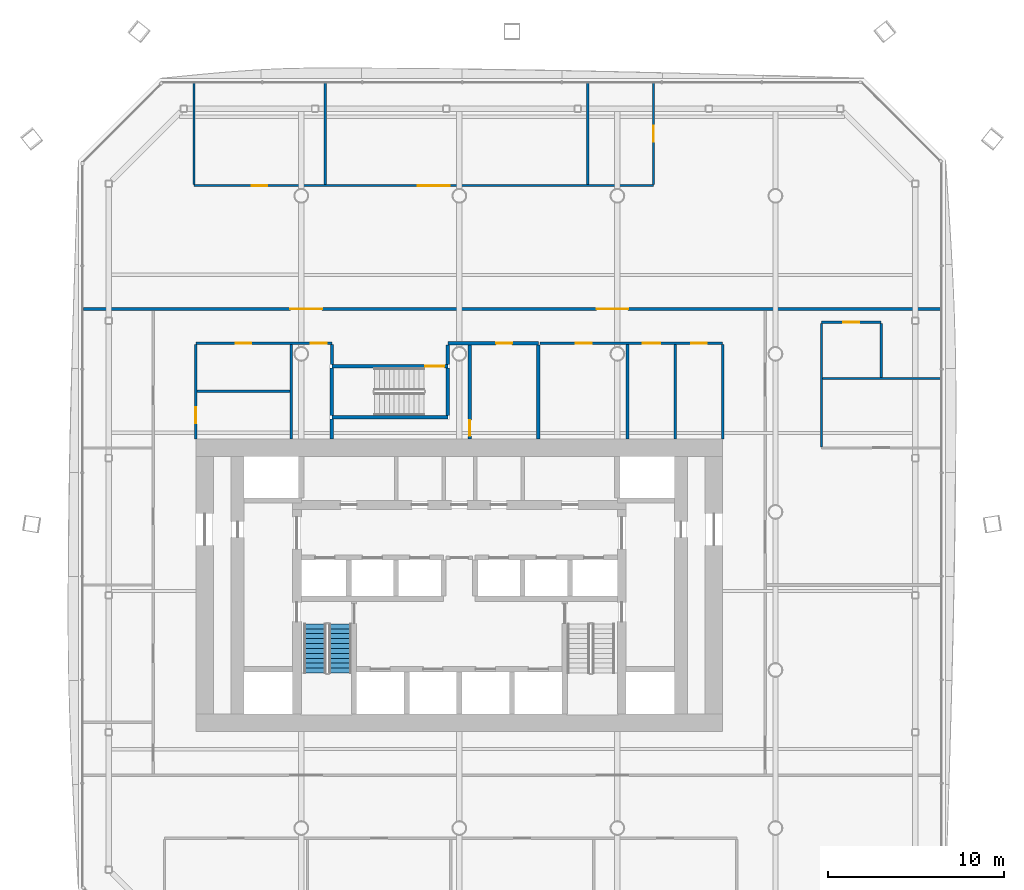
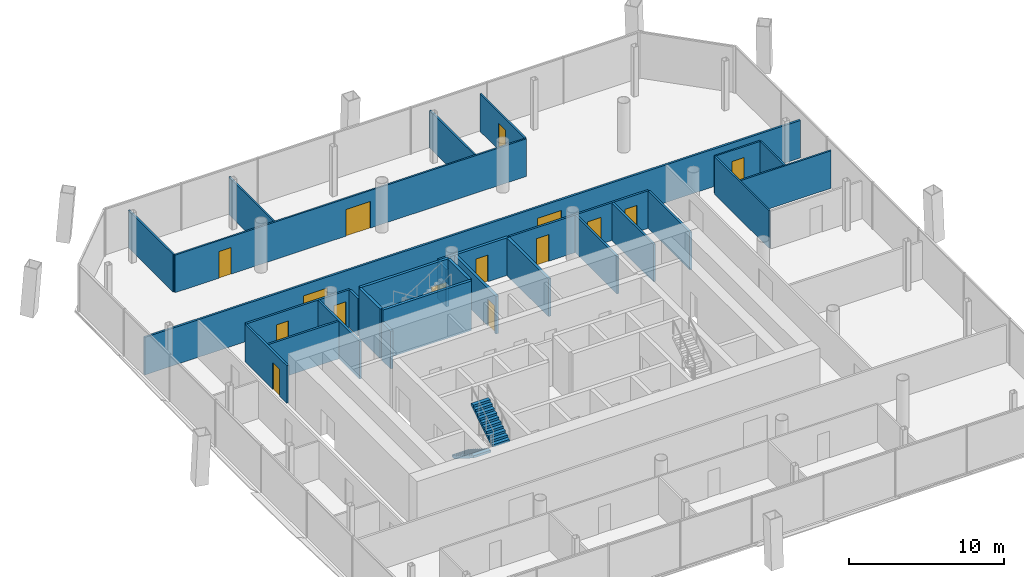
# One storey, part 13 of 19: 28 walls, 15 doors, 2 stair flights, 15 openings, 1 element without a shape of its own.
"""IFC4 building model written with IfcOpenShell, lengths in metres."""

from ifc_helpers import new_model, si_unit, direction, frame, frame_2d, origin, place, context, subcontext, project, spatial, polyline, rectangle, outline, extrude, material, layer, layer_set, type_object, element, fill, aggregate, save


model = new_model("IFC4")

# Units and contexts
model_context = context("Model", 3, precision=1e-05, world=origin(), true_north=direction((0.0, 1.0)))
body_context = subcontext(model_context, "Body", "Model", "MODEL_VIEW")
ifc_project = project(units=[si_unit("LENGTHUNIT", "METRE"), si_unit("AREAUNIT", "SQUARE_METRE"), si_unit("VOLUMEUNIT", "CUBIC_METRE"), si_unit("PLANEANGLEUNIT", "RADIAN"), si_unit("MASSUNIT", "GRAM", prefix="KILO")], contexts=[model_context])

# Site, building, storey
site_placement = place(None, origin())
site = spatial("IfcSite", under=ifc_project, at=site_placement, CompositionType="ELEMENT")
building_placement = place(site_placement, origin())
building = spatial("IfcBuilding", under=site, at=building_placement, Name="Tskaro Facet Tower", CompositionType="ELEMENT")
storey_placement = place(building_placement, frame((0.0, 0.0, 89.39990234375)))
storey = spatial("IfcBuildingStorey", under=building, at=storey_placement, Name="L21", CompositionType="ELEMENT", Elevation=89.39990234375)

# Wall
ifc_material_1 = material(Name="Gypsum board on steel studs", Category="steel")
ifc_layer_1 = layer(ifc_material_1, 0.125, Name="Gypsum board on steel studs")
ifc_layer_set_1 = layer_set([ifc_layer_1], Name="Gypsum board on steel studs")
wall_type_1 = type_object("IfcWallType", Name="PART", PredefinedType="PARTITIONING", material=ifc_layer_set_1)
wall_1_placement = place(storey_placement, frame((20.6875, 7.60107421875, 0.0), z_axis=(0.0, 0.0, 1.0), x_axis=(1.0, 0.0, 0.0)))
element("IfcWall", 1, at=wall_1_placement, inside=storey, type_object=wall_type_1, Name="Partition W020", PredefinedType="PARTITIONING", context=body_context, shape_type="SweptSolid", body=[
    extrude(rectangle(XDim=6.7255859375, YDim=0.125, at=frame_2d((3.36279296875, 0.0))), origin(), (0.0, 0.0, 1.0), 2.960205078125),
])

# Wall, opening, door
wall_2_placement = place(storey_placement, frame((24.02490234375, 10.801025390625, 0.0), z_axis=(0.0, 0.0, 1.0), x_axis=(-1.0, 0.0, 0.0)))
wall_2 = element("IfcWall", 2, at=wall_2_placement, inside=storey, type_object=wall_type_1, Name="Partition W025", PredefinedType="PARTITIONING", context=body_context, shape_type="SweptSolid", body=[
    extrude(rectangle(XDim=3.39990234375, YDim=0.125, at=frame_2d((1.699951171875, 0.0))), origin(), (0.0, 0.0, 1.0), 2.960205078125),
])
opening_1_placement = place(wall_2_placement, frame((1.25, 0.0, 0.0)))
opening_1 = element("IfcOpeningElement", 3, at=opening_1_placement, cuts=wall_2, Name="Opening T6-D38", PredefinedType="OPENING", context=body_context, shape_type="SweptSolid", body=[
    extrude(rectangle(XDim=0.89990234375, YDim=2.10009765625, at=frame_2d((0.449951171875, 1.050048828125))), frame((0.0, 0.072509765625, 0.0), z_axis=(0.0, -1.0, 0.0), x_axis=(1.0, 0.0, 0.0)), (0.0, 0.0, 1.0), 0.14501953125),
])
ifc_material_2 = material(Name="Timber", Category="wood")
door_type_1 = type_object("IfcDoorType", Name="D-ROOM", OperationType="NOTDEFINED", PredefinedType="DOOR", material=ifc_material_2)
door_1_placement = place(opening_1_placement, origin())
door_1 = element("IfcDoor", 4, at=door_1_placement, inside=storey, type_object=door_type_1, Name="Door T6-D38", OperationType="SINGLE_SWING_RIGHT", OverallHeight=2.10009765625, OverallWidth=0.89990234375, PredefinedType="DOOR", context=body_context, shape_type="SweptSolid", body=[
    extrude(rectangle(XDim=0.89990234375, YDim=2.10009765625, at=frame_2d((0.449951171875, 1.050048828125))), frame((0.0, 0.02490234375, 0.0), z_axis=(0.0, -1.0, 0.0), x_axis=(1.0, 0.0, 0.0)), (0.0, 0.0, 1.0), 0.050048828125),
])
fill(opening_1, door_1)

# Wall, openings, doors
wall_3_placement = place(storey_placement, frame((-15.110107421875, 18.580078125, 0.0), z_axis=(0.0, 0.0, 1.0), x_axis=(1.0, 0.0, 0.0)))
wall_3 = element("IfcWall", 5, at=wall_3_placement, inside=storey, type_object=wall_type_1, Name="Partition W027", PredefinedType="PARTITIONING", context=body_context, shape_type="SweptSolid", body=[
    extrude(rectangle(XDim=26.166015625, YDim=0.125, at=frame_2d((13.0830078125, 0.0))), origin(), (0.0, 0.0, 1.0), 2.960205078125),
])
opening_2_placement = place(wall_3_placement, frame((12.751953125, 0.0, 0.0)))
opening_2 = element("IfcOpeningElement", 6, at=opening_2_placement, cuts=wall_3, Name="Opening T6-D42", PredefinedType="OPENING", context=body_context, shape_type="SweptSolid", body=[
    extrude(rectangle(XDim=1.800048828125, YDim=2.10009765625, at=frame_2d((0.89990234375, 1.050048828125))), frame((0.0, 0.072509765625, 0.0), z_axis=(0.0, -1.0, 0.0), x_axis=(1.0, 0.0, 0.0)), (0.0, 0.0, 1.0), 0.14501953125),
])
opening_3_placement = place(wall_3_placement, frame((3.2880859375, 0.0, 0.0)))
opening_3 = element("IfcOpeningElement", 7, at=opening_3_placement, cuts=wall_3, Name="Opening T6-D41", PredefinedType="OPENING", context=body_context, shape_type="SweptSolid", body=[
    extrude(rectangle(XDim=0.89990234375, YDim=2.10009765625, at=frame_2d((0.449951171875, 1.050048828125))), frame((0.0, 0.072509765625, 0.0), z_axis=(0.0, -1.0, 0.0), x_axis=(1.0, 0.0, 0.0)), (0.0, 0.0, 1.0), 0.14501953125),
])
ifc_material_3 = material(Name="Glass", Category="glass")
door_type_2 = type_object("IfcDoorType", Name="D-ENTRY-PAIR", OperationType="NOTDEFINED", PredefinedType="DOOR", material=ifc_material_3)
door_2_placement = place(opening_2_placement, origin())
door_2 = element("IfcDoor", 8, at=door_2_placement, inside=storey, type_object=door_type_2, Name="Door T6-D42", OperationType="DOUBLE_DOOR_SINGLE_SWING", OverallHeight=2.10009765625, OverallWidth=1.800048828125, PredefinedType="DOOR", context=body_context, shape_type="SweptSolid", body=[
    extrude(rectangle(XDim=1.800048828125, YDim=2.10009765625, at=frame_2d((0.89990234375, 1.050048828125))), frame((0.0, 0.02490234375, 0.0), z_axis=(0.0, -1.0, 0.0), x_axis=(1.0, 0.0, 0.0)), (0.0, 0.0, 1.0), 0.050048828125),
])
fill(opening_2, door_2)
door_3_placement = place(opening_3_placement, origin())
door_3 = element("IfcDoor", 9, at=door_3_placement, inside=storey, type_object=door_type_1, Name="Door T6-D41", OperationType="SINGLE_SWING_LEFT", OverallHeight=2.10009765625, OverallWidth=0.89990234375, PredefinedType="DOOR", context=body_context, shape_type="SweptSolid", body=[
    extrude(rectangle(XDim=0.89990234375, YDim=2.10009765625, at=frame_2d((0.449951171875, 1.050048828125))), frame((0.0, 0.02490234375, 0.0), z_axis=(0.0, -1.0, 0.0), x_axis=(1.0, 0.0, 0.0)), (0.0, 0.0, 1.0), 0.050048828125),
])
fill(opening_3, door_3)

# Walls
for number, where, z_axis, x_axis, name in (
    (10, (-15.110107421875, 18.642578125, 0.0), (0.0, 0.0, 1.0), (0.0, 1.0, 0.0), "Partition W030"),
    (11, (-7.634033203125, 18.642578125, 0.0), (0.0, 0.0, 1.0), (0.0, 1.0, 0.0), "Partition W035"),
    (12, (7.318115234375, 18.642578125, 0.0), (0.0, 0.0, 1.0), (0.0, 1.0, 0.0), "Partition W059"),
):
    element("IfcWall", number, at=place(storey_placement, frame(where, z_axis=z_axis, x_axis=x_axis)), inside=storey, type_object=wall_type_1, Name=name, PredefinedType="PARTITIONING", context=body_context, shape_type="SweptSolid", body=[
        extrude(rectangle(XDim=5.7705078125, YDim=0.125, at=frame_2d((2.88525390625, 0.0))), origin(), (0.0, 0.0, 1.0), 2.960205078125),
    ])

# Wall, opening, door
wall_4_placement = place(storey_placement, frame((11.055908203125, 18.642578125, 0.0), z_axis=(0.0, 0.0, 1.0), x_axis=(0.0, 1.0, 0.0)))
wall_4 = element("IfcWall", 13, at=wall_4_placement, inside=storey, type_object=wall_type_1, Name="Partition W063", PredefinedType="PARTITIONING", context=body_context, shape_type="SweptSolid", body=[
    extrude(rectangle(XDim=5.7705078125, YDim=0.125, at=frame_2d((2.88525390625, 0.0))), origin(), (0.0, 0.0, 1.0), 2.960205078125),
])
opening_4_placement = place(wall_4_placement, frame((2.435302734375, 0.0, 0.0)))
opening_4 = element("IfcOpeningElement", 14, at=opening_4_placement, cuts=wall_4, Name="Opening T6-D43", PredefinedType="OPENING", context=body_context, shape_type="SweptSolid", body=[
    extrude(rectangle(XDim=0.89990234375, YDim=2.10009765625, at=frame_2d((0.449951171875, 1.050048828125))), frame((0.0, 0.072509765625, 0.0), z_axis=(0.0, -1.0, 0.0), x_axis=(1.0, 0.0, 0.0)), (0.0, 0.0, 1.0), 0.14501953125),
])
door_4_placement = place(opening_4_placement, origin())
door_4 = element("IfcDoor", 15, at=door_4_placement, inside=storey, type_object=door_type_1, Name="Door T6-D43", OperationType="SINGLE_SWING_LEFT", OverallHeight=2.10009765625, OverallWidth=0.89990234375, PredefinedType="DOOR", context=body_context, shape_type="SweptSolid", body=[
    extrude(rectangle(XDim=0.89990234375, YDim=2.10009765625, at=frame_2d((0.449951171875, 1.050048828125))), frame((0.0, 0.02490234375, 0.0), z_axis=(0.0, -1.0, 0.0), x_axis=(1.0, 0.0, 0.0)), (0.0, 0.0, 1.0), 0.050048828125),
])
fill(opening_4, door_4)

# Walls
wall_5_placement = place(storey_placement, frame((20.625, 3.71044921875, 0.0), z_axis=(0.0, 0.0, 1.0), x_axis=(0.0, 1.0, 0.0)))
element("IfcWall", 16, at=wall_5_placement, inside=storey, type_object=wall_type_1, Name="Partition W068", PredefinedType="PARTITIONING", context=body_context, shape_type="SweptSolid", body=[
    extrude(rectangle(XDim=7.028076171875, YDim=0.125, at=frame_2d((3.51416015625, 0.0))), origin(), (0.0, 0.0, 1.0), 2.960205078125),
])
wall_6_placement = place(storey_placement, frame((24.02490234375, 7.66357421875, 0.0), z_axis=(0.0, 0.0, 1.0), x_axis=(0.0, 1.0, 0.0)))
element("IfcWall", 17, at=wall_6_placement, inside=storey, type_object=wall_type_1, Name="Partition W069", PredefinedType="PARTITIONING", context=body_context, shape_type="SweptSolid", body=[
    extrude(rectangle(XDim=3.074951171875, YDim=0.125, at=frame_2d((1.53759765625, 0.0))), origin(), (0.0, 0.0, 1.0), 2.960205078125),
])
ifc_layer_2 = layer(ifc_material_1, 0.14990234375, Name="Gypsum board on steel studs")
ifc_layer_set_2 = layer_set([ifc_layer_2], Name="Gypsum board on steel studs")
wall_type_2 = type_object("IfcWallType", Name="PART-CORR", PredefinedType="PARTITIONING", material=ifc_layer_set_2)
wall_7_placement = place(storey_placement, frame((-14.925048828125, 6.8779296875, 0.0), z_axis=(0.0, 0.0, 1.0), x_axis=(1.0, 0.0, 0.0)))
element("IfcWall", 18, at=wall_7_placement, inside=storey, type_object=wall_type_2, Name="Corridor wall W019", PredefinedType="PARTITIONING", context=body_context, shape_type="SweptSolid", body=[
    extrude(rectangle(XDim=5.275146484375, YDim=0.14990234375, at=frame_2d((2.6376953125, 0.0))), origin(), (0.0, 0.0, 1.0), 2.960205078125),
])

# Wall, openings, doors
wall_8_placement = place(storey_placement, frame((-7.25, 9.60498046875, 0.0), z_axis=(0.0, 0.0, 1.0), x_axis=(-1.0, 0.0, 0.0)))
wall_8 = element("IfcWall", 19, at=wall_8_placement, inside=storey, type_object=wall_type_2, Name="Corridor wall W022", PredefinedType="PARTITIONING", context=body_context, shape_type="SweptSolid", body=[
    extrude(rectangle(XDim=7.75, YDim=0.14990234375, at=frame_2d((3.875, 0.0))), origin(), (0.0, 0.0, 1.0), 2.960205078125),
])
opening_5_placement = place(wall_8_placement, frame((0.3125, 0.0, 0.0)))
opening_5 = element("IfcOpeningElement", 20, at=opening_5_placement, cuts=wall_8, Name="Opening T6-D33", PredefinedType="OPENING", context=body_context, shape_type="SweptSolid", body=[
    extrude(rectangle(XDim=0.89990234375, YDim=2.10009765625, at=frame_2d((0.449951171875, 1.050048828125))), frame((0.0, 0.0849609375, 0.0), z_axis=(0.0, -1.0, 0.0), x_axis=(1.0, 0.0, 0.0)), (0.0, 0.0, 1.0), 0.169921875),
])
opening_6_placement = place(wall_8_placement, frame((4.58740234375, 0.0, 0.0)))
opening_6 = element("IfcOpeningElement", 21, at=opening_6_placement, cuts=wall_8, Name="Opening T6-D32", PredefinedType="OPENING", context=body_context, shape_type="SweptSolid", body=[
    extrude(rectangle(XDim=0.89990234375, YDim=2.10009765625, at=frame_2d((0.449951171875, 1.050048828125))), frame((0.0, 0.0849609375, 0.0), z_axis=(0.0, -1.0, 0.0), x_axis=(1.0, 0.0, 0.0)), (0.0, 0.0, 1.0), 0.169921875),
])
ifc_material_4 = material(Name="Steel", Category="steel")
door_type_3 = type_object("IfcDoorType", Name="D-RISER", OperationType="NOTDEFINED", PredefinedType="DOOR", material=ifc_material_4)
door_5_placement = place(opening_5_placement, origin())
door_5 = element("IfcDoor", 22, at=door_5_placement, inside=storey, type_object=door_type_3, Name="Door T6-D33", OperationType="SINGLE_SWING_RIGHT", OverallHeight=2.10009765625, OverallWidth=0.89990234375, PredefinedType="DOOR", context=body_context, shape_type="SweptSolid", body=[
    extrude(rectangle(XDim=0.89990234375, YDim=2.10009765625, at=frame_2d((0.449951171875, 1.050048828125))), frame((0.0, 0.02490234375, 0.0), z_axis=(0.0, -1.0, 0.0), x_axis=(1.0, 0.0, 0.0)), (0.0, 0.0, 1.0), 0.050048828125),
])
fill(opening_5, door_5)
door_6_placement = place(opening_6_placement, origin())
door_6 = element("IfcDoor", 23, at=door_6_placement, inside=storey, type_object=door_type_1, Name="Door T6-D32", OperationType="SINGLE_SWING_RIGHT", OverallHeight=2.10009765625, OverallWidth=0.89990234375, PredefinedType="DOOR", context=body_context, shape_type="SweptSolid", body=[
    extrude(rectangle(XDim=0.89990234375, YDim=2.10009765625, at=frame_2d((0.449951171875, 1.050048828125))), frame((0.0, 0.02490234375, 0.0), z_axis=(0.0, -1.0, 0.0), x_axis=(1.0, 0.0, 0.0)), (0.0, 0.0, 1.0), 0.050048828125),
])
fill(opening_6, door_6)

wall_9_placement = place(storey_placement, frame((15.0, 9.60498046875, 0.0), z_axis=(0.0, 0.0, 1.0), x_axis=(-1.0, 0.0, 0.0)))
wall_9 = element("IfcWall", 24, at=wall_9_placement, inside=storey, type_object=wall_type_2, Name="Corridor wall W024", PredefinedType="PARTITIONING", context=body_context, shape_type="SweptSolid", body=[
    extrude(rectangle(XDim=10.39990234375, YDim=0.14990234375, at=frame_2d((5.199951171875, 0.0))), origin(), (0.0, 0.0, 1.0), 2.960205078125),
])
opening_7_placement = place(wall_9_placement, frame((0.89990234375, 0.0, 0.0)))
opening_7 = element("IfcOpeningElement", 25, at=opening_7_placement, cuts=wall_9, Name="Opening T6-D37", PredefinedType="OPENING", context=body_context, shape_type="SweptSolid", body=[
    extrude(rectangle(XDim=0.89990234375, YDim=2.10009765625, at=frame_2d((0.449951171875, 1.050048828125))), frame((0.0, 0.0849609375, 0.0), z_axis=(0.0, -1.0, 0.0), x_axis=(1.0, 0.0, 0.0)), (0.0, 0.0, 1.0), 0.169921875),
])
opening_8_placement = place(wall_9_placement, frame((7.46240234375, 0.0, 0.0)))
opening_8 = element("IfcOpeningElement", 26, at=opening_8_placement, cuts=wall_9, Name="Opening T6-D35", PredefinedType="OPENING", context=body_context, shape_type="SweptSolid", body=[
    extrude(rectangle(XDim=0.89990234375, YDim=2.10009765625, at=frame_2d((0.449951171875, 1.050048828125))), frame((0.0, 0.0849609375, 0.0), z_axis=(0.0, -1.0, 0.0), x_axis=(1.0, 0.0, 0.0)), (0.0, 0.0, 1.0), 0.169921875),
])
opening_9_placement = place(wall_9_placement, frame((3.5625, 0.0, 0.0)))
opening_9 = element("IfcOpeningElement", 27, at=opening_9_placement, cuts=wall_9, Name="Opening T6-D36", PredefinedType="OPENING", context=body_context, shape_type="SweptSolid", body=[
    extrude(rectangle(XDim=1.0, YDim=2.10009765625, at=frame_2d((0.5, 1.050048828125))), frame((0.0, 0.0849609375, 0.0), z_axis=(0.0, -1.0, 0.0), x_axis=(1.0, 0.0, 0.0)), (0.0, 0.0, 1.0), 0.169921875),
])
door_7_placement = place(opening_7_placement, origin())
door_7 = element("IfcDoor", 28, at=door_7_placement, inside=storey, type_object=door_type_1, Name="Door T6-D37", OperationType="SINGLE_SWING_RIGHT", OverallHeight=2.10009765625, OverallWidth=0.89990234375, PredefinedType="DOOR", context=body_context, shape_type="SweptSolid", body=[
    extrude(rectangle(XDim=0.89990234375, YDim=2.10009765625, at=frame_2d((0.449951171875, 1.050048828125))), frame((0.0, 0.02490234375, 0.0), z_axis=(0.0, -1.0, 0.0), x_axis=(1.0, 0.0, 0.0)), (0.0, 0.0, 1.0), 0.050048828125),
])
fill(opening_7, door_7)
door_8_placement = place(opening_8_placement, origin())
door_8 = element("IfcDoor", 29, at=door_8_placement, inside=storey, type_object=door_type_1, Name="Door T6-D35", OperationType="SINGLE_SWING_RIGHT", OverallHeight=2.10009765625, OverallWidth=0.89990234375, PredefinedType="DOOR", context=body_context, shape_type="SweptSolid", body=[
    extrude(rectangle(XDim=0.89990234375, YDim=2.10009765625, at=frame_2d((0.449951171875, 1.050048828125))), frame((0.0, 0.02490234375, 0.0), z_axis=(0.0, -1.0, 0.0), x_axis=(1.0, 0.0, 0.0)), (0.0, 0.0, 1.0), 0.050048828125),
])
fill(opening_8, door_8)
door_type_4 = type_object("IfcDoorType", Name="D-ROOM-WIDE", OperationType="NOTDEFINED", PredefinedType="DOOR", material=ifc_material_2)
door_9_placement = place(opening_9_placement, origin())
door_9 = element("IfcDoor", 30, at=door_9_placement, inside=storey, type_object=door_type_4, Name="Door T6-D36", OperationType="SINGLE_SWING_RIGHT", OverallHeight=2.10009765625, OverallWidth=1.0, PredefinedType="DOOR", context=body_context, shape_type="SweptSolid", body=[
    extrude(rectangle(XDim=1.0, YDim=2.10009765625, at=frame_2d((0.5, 1.050048828125))), frame((0.0, 0.02490234375, 0.0), z_axis=(0.0, -1.0, 0.0), x_axis=(1.0, 0.0, 0.0)), (0.0, 0.0, 1.0), 0.050048828125),
])
fill(opening_9, door_9)

wall_10_placement = place(storey_placement, frame((27.4130859375, 11.554931640625, 0.0), z_axis=(0.0, 0.0, 1.0), x_axis=(-1.0, 0.0, 0.0)))
wall_10 = element("IfcWall", 31, at=wall_10_placement, inside=storey, type_object=wall_type_2, Name="Corridor wall W026", PredefinedType="PARTITIONING", context=body_context, shape_type="SweptSolid", body=[
    extrude(rectangle(XDim=48.826171875, YDim=0.14990234375, at=frame_2d((24.4130859375, 0.0))), origin(), (0.0, 0.0, 1.0), 2.960205078125),
])
opening_10_placement = place(wall_10_placement, frame((35.22607421875, 0.0, 0.0)))
opening_10 = element("IfcOpeningElement", 32, at=opening_10_placement, cuts=wall_10, Name="Opening T6-D39", PredefinedType="OPENING", context=body_context, shape_type="SweptSolid", body=[
    extrude(rectangle(XDim=1.800048828125, YDim=2.10009765625, at=frame_2d((0.89990234375, 1.050048828125))), frame((0.0, 0.0849609375, 0.0), z_axis=(0.0, -1.0, 0.0), x_axis=(1.0, 0.0, 0.0)), (0.0, 0.0, 1.0), 0.169921875),
])
opening_11_placement = place(wall_10_placement, frame((17.800048828125, 0.0, 0.0)))
opening_11 = element("IfcOpeningElement", 33, at=opening_11_placement, cuts=wall_10, Name="Opening T6-D40", PredefinedType="OPENING", context=body_context, shape_type="SweptSolid", body=[
    extrude(rectangle(XDim=1.800048828125, YDim=2.10009765625, at=frame_2d((0.89990234375, 1.050048828125))), frame((0.0, 0.0849609375, 0.0), z_axis=(0.0, -1.0, 0.0), x_axis=(1.0, 0.0, 0.0)), (0.0, 0.0, 1.0), 0.169921875),
])
door_10_placement = place(opening_10_placement, origin())
door_10 = element("IfcDoor", 34, at=door_10_placement, inside=storey, type_object=door_type_2, Name="Door T6-D39", OperationType="DOUBLE_DOOR_SINGLE_SWING", OverallHeight=2.10009765625, OverallWidth=1.800048828125, PredefinedType="DOOR", context=body_context, shape_type="SweptSolid", body=[
    extrude(rectangle(XDim=1.800048828125, YDim=2.10009765625, at=frame_2d((0.89990234375, 1.050048828125))), frame((0.0, 0.02490234375, 0.0), z_axis=(0.0, -1.0, 0.0), x_axis=(1.0, 0.0, 0.0)), (0.0, 0.0, 1.0), 0.050048828125),
])
fill(opening_10, door_10)
door_11_placement = place(opening_11_placement, origin())
door_11 = element("IfcDoor", 35, at=door_11_placement, inside=storey, type_object=door_type_2, Name="Door T6-D40", OperationType="DOUBLE_DOOR_SINGLE_SWING", OverallHeight=2.10009765625, OverallWidth=1.800048828125, PredefinedType="DOOR", context=body_context, shape_type="SweptSolid", body=[
    extrude(rectangle(XDim=1.800048828125, YDim=2.10009765625, at=frame_2d((0.89990234375, 1.050048828125))), frame((0.0, 0.02490234375, 0.0), z_axis=(0.0, -1.0, 0.0), x_axis=(1.0, 0.0, 0.0)), (0.0, 0.0, 1.0), 0.050048828125),
])
fill(opening_11, door_11)

# Wall, opening, door
wall_11_placement = place(storey_placement, frame((-15.0, 9.530029296875, 0.0), z_axis=(0.0, 0.0, 1.0), x_axis=(0.0, -1.0, 0.0)))
wall_11 = element("IfcWall", 36, at=wall_11_placement, inside=storey, type_object=wall_type_2, Name="Corridor wall W031", PredefinedType="PARTITIONING", context=body_context, shape_type="SweptSolid", body=[
    extrude(rectangle(XDim=5.380126953125, YDim=0.14990234375, at=frame_2d((2.68994140625, 0.0))), origin(), (0.0, 0.0, 1.0), 2.960205078125),
])
opening_12_placement = place(wall_11_placement, frame((3.56591796875, 0.0, 0.0)))
opening_12 = element("IfcOpeningElement", 37, at=opening_12_placement, cuts=wall_11, Name="Opening T6-D29", PredefinedType="OPENING", context=body_context, shape_type="SweptSolid", body=[
    extrude(rectangle(XDim=0.89990234375, YDim=2.10009765625, at=frame_2d((0.449951171875, 1.050048828125))), frame((0.0, 0.0849609375, 0.0), z_axis=(0.0, -1.0, 0.0), x_axis=(1.0, 0.0, 0.0)), (0.0, 0.0, 1.0), 0.169921875),
])
door_12_placement = place(opening_12_placement, origin())
door_12 = element("IfcDoor", 38, at=door_12_placement, inside=storey, type_object=door_type_1, Name="Door T6-D29", OperationType="SINGLE_SWING_RIGHT", OverallHeight=2.10009765625, OverallWidth=0.89990234375, PredefinedType="DOOR", context=body_context, shape_type="SweptSolid", body=[
    extrude(rectangle(XDim=0.89990234375, YDim=2.10009765625, at=frame_2d((0.449951171875, 1.050048828125))), frame((0.0, 0.02490234375, 0.0), z_axis=(0.0, -1.0, 0.0), x_axis=(1.0, 0.0, 0.0)), (0.0, 0.0, 1.0), 0.050048828125),
])
fill(opening_12, door_12)

# Walls
wall_12_placement = place(storey_placement, frame((-9.574951171875, 4.14990234375, 0.0), z_axis=(0.0, 0.0, 1.0), x_axis=(0.0, 1.0, 0.0)))
element("IfcWall", 39, at=wall_12_placement, inside=storey, type_object=wall_type_2, Name="Corridor wall W032", PredefinedType="PARTITIONING", context=body_context, shape_type="SweptSolid", body=[
    extrude(rectangle(XDim=5.380126953125, YDim=0.14990234375, at=frame_2d((2.68994140625, 0.0))), origin(), (0.0, 0.0, 1.0), 2.960205078125),
])
wall_13_placement = place(storey_placement, frame((-7.25, 8.39990234375, 0.0), z_axis=(0.0, 0.0, 1.0), x_axis=(0.0, 1.0, 0.0)))
element("IfcWall", 40, at=wall_13_placement, inside=storey, type_object=wall_type_2, Name="Corridor wall W038", PredefinedType="PARTITIONING", context=body_context, shape_type="SweptSolid", body=[
    extrude(rectangle(XDim=1.130126953125, YDim=0.14990234375, at=frame_2d((0.56494140625, 0.0))), origin(), (0.0, 0.0, 1.0), 2.960205078125),
])
for number, where, z_axis, x_axis, name in (
    (41, (9.574951171875, 4.14990234375, 0.0), (0.0, 0.0, 1.0), (0.0, 1.0, 0.0), "Corridor wall W062"),
    (42, (12.300048828125, 4.14990234375, 0.0), (0.0, 0.0, 1.0), (0.0, 1.0, 0.0), "Corridor wall W064"),
    (43, (15.0, 4.14990234375, 0.0), (0.0, 0.0, 1.0), (0.0, 1.0, 0.0), "Corridor wall W065"),
):
    element("IfcWall", number, at=place(storey_placement, frame(where, z_axis=z_axis, x_axis=x_axis)), inside=storey, type_object=wall_type_2, Name=name, PredefinedType="PARTITIONING", context=body_context, shape_type="SweptSolid", body=[
        extrude(rectangle(XDim=5.380126953125, YDim=0.14990234375, at=frame_2d((2.68994140625, 0.0))), origin(), (0.0, 0.0, 1.0), 2.960205078125),
    ])
ifc_material_5 = material(Name="Concrete C60/75", Category="concrete")
ifc_layer_3 = layer(ifc_material_5, 0.199951171875, Name="Concrete C60/75")
ifc_layer_set_3 = layer_set([ifc_layer_3], Name="Concrete C60/75")
wall_type_3 = type_object("IfcWallType", Name="STAIR-WALL", PredefinedType="SHEAR", material=ifc_layer_set_3)
wall_14_placement = place(storey_placement, frame((-7.25, 5.39990234375, 0.0), z_axis=(0.0, 0.0, 1.0), x_axis=(1.0, 0.0, 0.0)))
element("IfcWall", 44, at=wall_14_placement, inside=storey, type_object=wall_type_3, Name="Stair wall W018", PredefinedType="SHEAR", context=body_context, shape_type="SweptSolid", body=[
    extrude(rectangle(XDim=6.60009765625, YDim=0.199951171875, at=frame_2d((3.300048828125, 0.0))), origin(), (0.0, 0.0, 1.0), 3.900146484375),
])

# Wall, opening, door
wall_15_placement = place(storey_placement, frame((-0.64990234375, 8.300048828125, 0.0), z_axis=(0.0, 0.0, 1.0), x_axis=(-1.0, 0.0, 0.0)))
wall_15 = element("IfcWall", 45, at=wall_15_placement, inside=storey, type_object=wall_type_3, Name="Stair wall W021", PredefinedType="SHEAR", context=body_context, shape_type="SweptSolid", body=[
    extrude(rectangle(XDim=6.60009765625, YDim=0.199951171875, at=frame_2d((3.300048828125, 0.0))), origin(), (0.0, 0.0, 1.0), 3.900146484375),
])
opening_13_placement = place(wall_15_placement, frame((0.199951171875, 0.0, 0.0)))
opening_13 = element("IfcOpeningElement", 46, at=opening_13_placement, cuts=wall_15, Name="Opening ST-3-D1", PredefinedType="OPENING", context=body_context, shape_type="SweptSolid", body=[
    extrude(rectangle(XDim=1.10009765625, YDim=2.10009765625, at=frame_2d((0.550048828125, 1.050048828125))), frame((0.0, 0.10986328125, 0.0), z_axis=(0.0, -1.0, 0.0), x_axis=(1.0, 0.0, 0.0)), (0.0, 0.0, 1.0), 0.219970703125),
])
door_type_5 = type_object("IfcDoorType", Name="D-STAIR", OperationType="NOTDEFINED", PredefinedType="DOOR", material=ifc_material_4)
door_13_placement = place(opening_13_placement, origin())
door_13 = element("IfcDoor", 47, at=door_13_placement, inside=storey, type_object=door_type_5, Name="Stair door 3", OperationType="SINGLE_SWING_RIGHT", OverallHeight=2.10009765625, OverallWidth=1.10009765625, PredefinedType="DOOR", context=body_context, shape_type="SweptSolid", body=[
    extrude(rectangle(XDim=1.10009765625, YDim=2.10009765625, at=frame_2d((0.550048828125, 1.050048828125))), frame((0.0, 0.02490234375, 0.0), z_axis=(0.0, -1.0, 0.0), x_axis=(1.0, 0.0, 0.0)), (0.0, 0.0, 1.0), 0.050048828125),
])
fill(opening_13, door_13)

# Walls
for number, where, z_axis, x_axis, name in (
    (48, (-7.25, 5.5, 0.0), (0.0, 0.0, 1.0), (0.0, 1.0, 0.0), "Stair wall W037"),
    (49, (-0.64990234375, 5.5, 0.0), (0.0, 0.0, 1.0), (0.0, 1.0, 0.0), "Stair wall W046"),
):
    element("IfcWall", number, at=place(storey_placement, frame(where, z_axis=z_axis, x_axis=x_axis)), inside=storey, type_object=wall_type_3, Name=name, PredefinedType="SHEAR", context=body_context, shape_type="SweptSolid", body=[
        extrude(rectangle(XDim=2.699951171875, YDim=0.199951171875, at=frame_2d((1.35009765625, 0.0))), origin(), (0.0, 0.0, 1.0), 3.900146484375),
    ])

# Wall, opening, door
ifc_material_6 = material(Name="Concrete C20/25", Category="concrete")
ifc_layer_4 = layer(ifc_material_6, 0.199951171875, Name="Concrete C20/25")
ifc_layer_set_4 = layer_set([ifc_layer_4], Name="Concrete C20/25")
wall_type_4 = type_object("IfcWallType", Name="WALL-RISER", PredefinedType="SOLIDWALL", material=ifc_layer_set_4)
wall_16_placement = place(storey_placement, frame((4.5, 9.60498046875, 0.0), z_axis=(0.0, 0.0, 1.0), x_axis=(-1.0, 0.0, 0.0)))
wall_16 = element("IfcWall", 50, at=wall_16_placement, inside=storey, type_object=wall_type_4, Name="Riser room wall W023", PredefinedType="SOLIDWALL", context=body_context, shape_type="SweptSolid", body=[
    extrude(rectangle(XDim=5.14990234375, YDim=0.199951171875, at=frame_2d((2.574951171875, 0.0))), origin(), (0.0, 0.0, 1.0), 2.960205078125),
])
opening_14_placement = place(wall_16_placement, frame((1.5, 0.0, 0.0)))
opening_14 = element("IfcOpeningElement", 51, at=opening_14_placement, cuts=wall_16, Name="Opening T6-D34", PredefinedType="OPENING", context=body_context, shape_type="SweptSolid", body=[
    extrude(rectangle(XDim=0.89990234375, YDim=2.10009765625, at=frame_2d((0.449951171875, 1.050048828125))), frame((0.0, 0.10986328125, 0.0), z_axis=(0.0, -1.0, 0.0), x_axis=(1.0, 0.0, 0.0)), (0.0, 0.0, 1.0), 0.219970703125),
])
door_14_placement = place(opening_14_placement, origin())
door_14 = element("IfcDoor", 52, at=door_14_placement, inside=storey, type_object=door_type_3, Name="Door T6-D34", OperationType="SINGLE_SWING_RIGHT", OverallHeight=2.10009765625, OverallWidth=0.89990234375, PredefinedType="DOOR", context=body_context, shape_type="SweptSolid", body=[
    extrude(rectangle(XDim=0.89990234375, YDim=2.10009765625, at=frame_2d((0.449951171875, 1.050048828125))), frame((0.0, 0.02490234375, 0.0), z_axis=(0.0, -1.0, 0.0), x_axis=(1.0, 0.0, 0.0)), (0.0, 0.0, 1.0), 0.050048828125),
])
fill(opening_14, door_14)

# Walls
wall_17_placement = place(storey_placement, frame((-7.25, 4.14990234375, 0.0), z_axis=(0.0, 0.0, 1.0), x_axis=(0.0, 1.0, 0.0)))
element("IfcWall", 53, at=wall_17_placement, inside=storey, type_object=wall_type_4, Name="Riser room wall W036", PredefinedType="SOLIDWALL", context=body_context, shape_type="SweptSolid", body=[
    extrude(rectangle(XDim=1.150146484375, YDim=0.199951171875, at=frame_2d((0.5751953125, 0.0))), origin(), (0.0, 0.0, 1.0), 2.960205078125),
])
wall_18_placement = place(storey_placement, frame((-0.64990234375, 8.39990234375, 0.0), z_axis=(0.0, 0.0, 1.0), x_axis=(0.0, 1.0, 0.0)))
element("IfcWall", 54, at=wall_18_placement, inside=storey, type_object=wall_type_4, Name="Riser room wall W047", PredefinedType="SOLIDWALL", context=body_context, shape_type="SweptSolid", body=[
    extrude(rectangle(XDim=1.10498046875, YDim=0.199951171875, at=frame_2d((0.552490234375, 0.0))), origin(), (0.0, 0.0, 1.0), 2.960205078125),
])

# Wall, opening, door
wall_19_placement = place(storey_placement, frame((0.60009765625, 4.14990234375, 0.0), z_axis=(0.0, 0.0, 1.0), x_axis=(0.0, 1.0, 0.0)))
wall_19 = element("IfcWall", 55, at=wall_19_placement, inside=storey, type_object=wall_type_4, Name="Riser room wall W050", PredefinedType="SOLIDWALL", context=body_context, shape_type="SweptSolid", body=[
    extrude(rectangle(XDim=5.35498046875, YDim=0.199951171875, at=frame_2d((2.677490234375, 0.0))), origin(), (0.0, 0.0, 1.0), 2.960205078125),
])
opening_15_placement = place(wall_19_placement, frame((0.175048828125, 0.0, 0.0)))
opening_15 = element("IfcOpeningElement", 56, at=opening_15_placement, cuts=wall_19, Name="Opening T6-D28", PredefinedType="OPENING", context=body_context, shape_type="SweptSolid", body=[
    extrude(rectangle(XDim=0.89990234375, YDim=2.10009765625, at=frame_2d((0.449951171875, 1.050048828125))), frame((0.0, 0.10986328125, 0.0), z_axis=(0.0, -1.0, 0.0), x_axis=(1.0, 0.0, 0.0)), (0.0, 0.0, 1.0), 0.219970703125),
])
door_15_placement = place(opening_15_placement, origin())
door_15 = element("IfcDoor", 57, at=door_15_placement, inside=storey, type_object=door_type_3, Name="Door T6-D28", OperationType="SINGLE_SWING_LEFT", OverallHeight=2.10009765625, OverallWidth=0.89990234375, PredefinedType="DOOR", context=body_context, shape_type="SweptSolid", body=[
    extrude(rectangle(XDim=0.89990234375, YDim=2.10009765625, at=frame_2d((0.449951171875, 1.050048828125))), frame((0.0, 0.02490234375, 0.0), z_axis=(0.0, -1.0, 0.0), x_axis=(1.0, 0.0, 0.0)), (0.0, 0.0, 1.0), 0.050048828125),
])
fill(opening_15, door_15)

# Wall
wall_20_placement = place(storey_placement, frame((4.5, 4.14990234375, 0.0), z_axis=(0.0, 0.0, 1.0), x_axis=(0.0, 1.0, 0.0)))
element("IfcWall", 58, at=wall_20_placement, inside=storey, type_object=wall_type_4, Name="Riser room wall W056", PredefinedType="SOLIDWALL", context=body_context, shape_type="SweptSolid", body=[
    extrude(rectangle(XDim=5.35498046875, YDim=0.199951171875, at=frame_2d((2.677490234375, 0.0))), origin(), (0.0, 0.0, 1.0), 2.960205078125),
])

# Stair, stair flights
ifc_material_7 = material(Name="Concrete C40/50", Category="concrete")
stair_type = type_object("IfcStairType", Name="ST-TWR", PredefinedType="HALF_TURN_STAIR", material=ifc_material_7)
stair_placement = place(storey_placement, origin())
stair = element("IfcStair", 59, at=stair_placement, inside=storey, type_object=stair_type, Name="L21 Exit stair 1", PredefinedType="HALF_TURN_STAIR")
stair_flight_type = type_object("IfcStairFlightType", Name="SFL-RC", PredefinedType="STRAIGHT", material=ifc_material_7)
stair_flight_1_placement = place(storey_placement, frame((-8.21240234375, -6.375, 0.0), z_axis=(0.0, 0.0, 1.0), x_axis=(0.0, -1.0, 0.0)))
stair_flight_1 = element("IfcStairFlight", 60, at=stair_flight_1_placement, type_object=stair_flight_type, Name="ST-1 flight 1", NumberOfRisers=11, NumberOfTreads=10, PredefinedType="STRAIGHT", RiserHeight=0.177272727, TreadLength=0.28, context=body_context, shape_type="SweptSolid", body=[
    extrude(outline(polyline([(0.0, 0.0), (0.0, 0.17724609375), (0.280029296875, 0.17724609375), (0.280029296875, 0.3544921875), (0.56005859375, 0.3544921875), (0.56005859375, 0.53173828125), (0.840087890625, 0.53173828125), (0.840087890625, 0.708984375), (1.1201171875, 0.708984375), (1.1201171875, 0.886474609375), (1.39990234375, 0.886474609375), (1.39990234375, 1.063720703125), (1.679931640625, 1.063720703125), (1.679931640625, 1.240966796875), (1.9599609375, 1.240966796875), (1.9599609375, 1.418212890625), (2.239990234375, 1.418212890625), (2.239990234375, 1.595458984375), (2.52001953125, 1.595458984375), (2.52001953125, 1.772705078125), (2.800048828125, 1.772705078125), (2.800048828125, 1.949951171875), (2.800048828125, 1.59521484375), (0.2802734375, 0.0), (0.0, 0.0)])), frame((0.0, 0.637451171875, 0.0), z_axis=(0.0, -1.0, 0.0), x_axis=(1.0, 0.0, 0.0)), (0.0, 0.0, 1.0), 1.27490234375),
])
stair_flight_2_placement = place(storey_placement, frame((-6.78759765625, -9.175048828125, 1.9501953125), z_axis=(0.0, 0.0, 1.0), x_axis=(0.0, 1.0, 0.0)))
stair_flight_2 = element("IfcStairFlight", 61, at=stair_flight_2_placement, type_object=stair_flight_type, Name="ST-1 flight 2", NumberOfRisers=11, NumberOfTreads=10, PredefinedType="STRAIGHT", RiserHeight=0.177272727, TreadLength=0.28, context=body_context, shape_type="SweptSolid", body=[
    extrude(outline(polyline([(0.0, 0.0), (0.0, 0.17724609375), (0.280029296875, 0.17724609375), (0.280029296875, 0.3544921875), (0.56005859375, 0.3544921875), (0.56005859375, 0.53173828125), (0.840087890625, 0.53173828125), (0.840087890625, 0.708984375), (1.1201171875, 0.708984375), (1.1201171875, 0.886474609375), (1.39990234375, 0.886474609375), (1.39990234375, 1.063720703125), (1.679931640625, 1.063720703125), (1.679931640625, 1.240966796875), (1.9599609375, 1.240966796875), (1.9599609375, 1.418212890625), (2.239990234375, 1.418212890625), (2.239990234375, 1.595458984375), (2.52001953125, 1.595458984375), (2.52001953125, 1.772705078125), (2.800048828125, 1.772705078125), (2.800048828125, 1.949951171875), (2.800048828125, 1.59521484375), (0.2802734375, 0.0), (0.0, 0.0)])), frame((0.0, 0.637451171875, 0.0), z_axis=(0.0, -1.0, 0.0), x_axis=(1.0, 0.0, 0.0)), (0.0, 0.0, 1.0), 1.27490234375),
])
aggregate(stair, [stair_flight_1, stair_flight_2])

save(model, "model.ifc")
